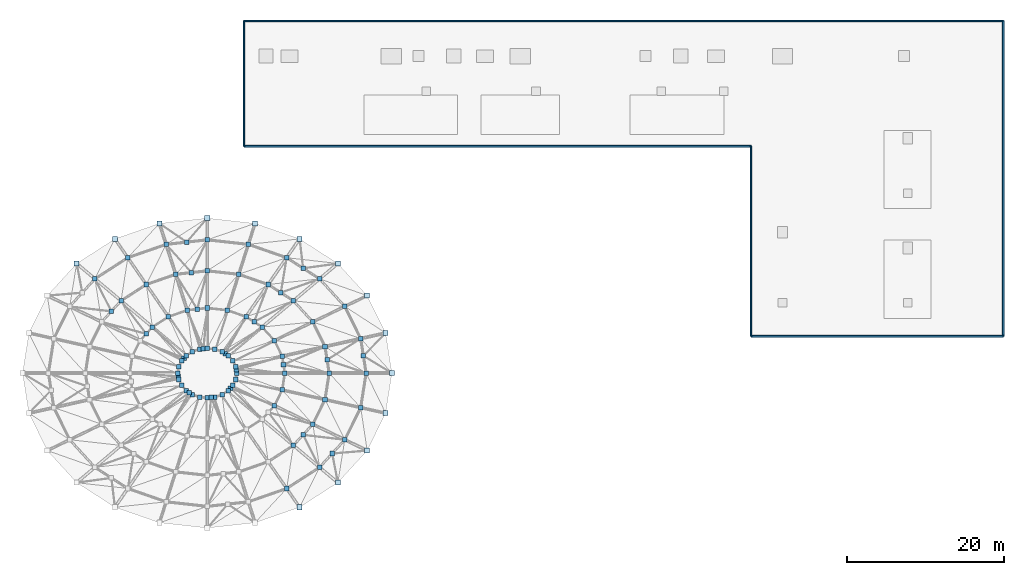
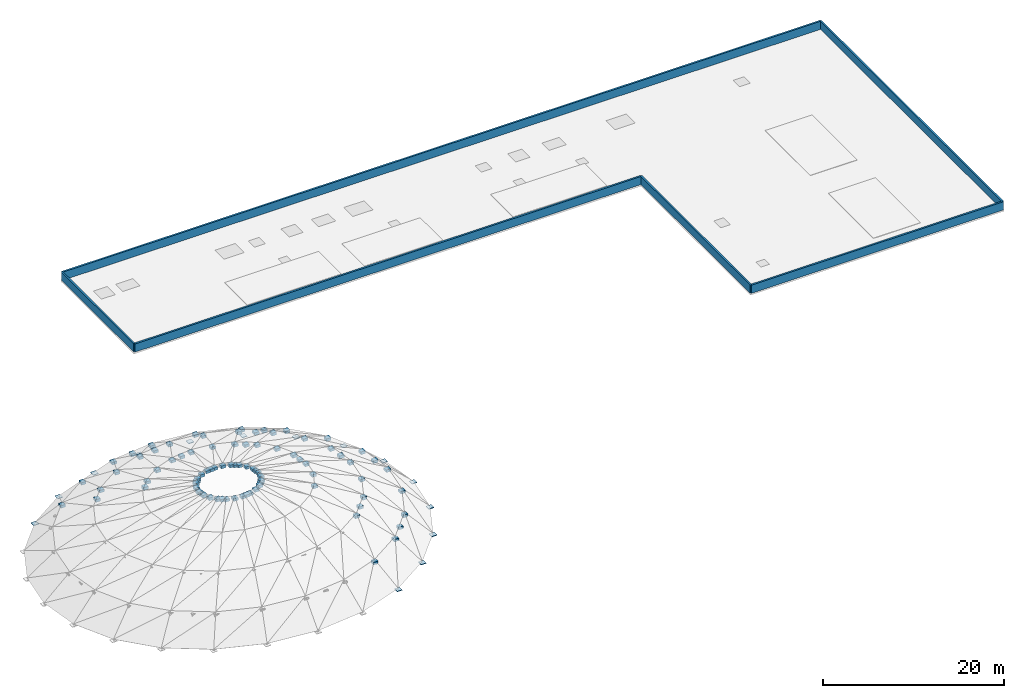
# One storey, part 10 of 11: 98 plates, 6 walls.
"""IFC4 building model written with IfcOpenShell, lengths in metres."""

from ifc_helpers import new_model, si_unit, direction, frame, frame_2d, origin, origin_2d, place, context, subcontext, project, spatial, rectangle, extrude, material, layer, layer_set, type_object, element, save


model = new_model("IFC4")

# Units and contexts
model_context = context("Model", 3, precision=1e-05, world=origin(), true_north=direction((0.0, 1.0)))
body_context = subcontext(model_context, "Body", "Model", "MODEL_VIEW")
ifc_project = project(units=[si_unit("LENGTHUNIT", "METRE"), si_unit("AREAUNIT", "SQUARE_METRE"), si_unit("VOLUMEUNIT", "CUBIC_METRE"), si_unit("PLANEANGLEUNIT", "RADIAN"), si_unit("MASSUNIT", "GRAM", prefix="KILO")], contexts=[model_context])

# Site, building, storey
site_placement = place(None, origin())
site = spatial("IfcSite", under=ifc_project, at=site_placement, CompositionType="ELEMENT")
building_placement = place(site_placement, origin())
building = spatial("IfcBuilding", under=site, at=building_placement, Name="Parian Resonance Hall", CompositionType="ELEMENT")
storey_placement = place(building_placement, frame((0.0, 0.0, 27.60009765625)))
storey = spatial("IfcBuildingStorey", under=building, at=storey_placement, Name="ROOF", CompositionType="ELEMENT", Elevation=27.60009765625)

# Plates
ifc_material_1 = material(Name="Steel S355", Category="steel")
ifc_layer_1 = layer(ifc_material_1, 0.06005859375)
ifc_layer_set_1 = layer_set([ifc_layer_1], Name="Steel S355")
plate_type_1 = type_object("IfcPlateType", Name="PLT-BASE-060", PredefinedType="USERDEFINED", material=ifc_layer_set_1)
for number, where, z_axis, x_axis, name in (
    (1, (67.60009765625, 44.0, -6.670166015625), (0.0, 0.0, 1.0), (1.0, 0.0, 0.0), "Dome arch rib base shoe plate 01"),
    (2, (64.438232421875, 53.89990234375, -6.670166015625), (0.0, 0.0, 1.0), (1.0, 0.0, 0.0), "Dome arch rib base shoe plate 03"),
    (3, (55.800048828125, 61.147216796875, -6.670166015625), (0.0, 0.0, 1.0), (1.0, 0.0, 0.0), "Dome arch rib base shoe plate 05"),
    (4, (44.0, 63.800048828125, -6.670166015625), (0.0, 0.0, 1.0), (1.0, 0.0, 0.0), "Dome arch rib base shoe plate 07"),
    (5, (32.199951171875, 61.147216796875, -6.670166015625), (0.0, 0.0, 1.0), (1.0, 0.0, 0.0), "Dome arch rib base shoe plate 09"),
    (6, (55.800048828125, 26.852783203125, -6.670166015625), (0.0, 0.0, 1.0), (1.0, 0.0, 0.0), "Dome arch rib base shoe plate 21"),
    (7, (64.438232421875, 34.10009765625, -6.670166015625), (0.0, 0.0, 1.0), (1.0, 0.0, 0.0), "Dome arch rib base shoe plate 23"),
):
    element("IfcPlate", number, at=place(storey_placement, frame(where, z_axis=z_axis, x_axis=x_axis)), inside=storey, type_object=plate_type_1, Name=name, ObjectType="BASE PLATE", PredefinedType="USERDEFINED", context=body_context, shape_type="SweptSolid", body=[
        extrude(rectangle(XDim=0.64990234375, YDim=0.64990234375, at=origin_2d()), origin(), (0.0, 0.0, 1.0), 0.06005859375),
    ])
ifc_material_2 = material(Name="Steel S355", Category="steel")
ifc_layer_2 = layer(ifc_material_2, 0.080078125)
ifc_layer_set_2 = layer_set([ifc_layer_2], Name="Steel S355")
plate_type_2 = type_object("IfcPlateType", Name="PLT-BASE-080", PredefinedType="USERDEFINED", material=ifc_layer_set_2)
for number, where, z_axis, x_axis, name in (
    (8, (66.7958984375, 49.12451171875, -6.68017578125), (0.0, 0.0, 1.0), (1.0, 0.0, 0.0), "Dome arch rib base shoe plate 02"),
    (9, (60.687744140625, 58.000732421875, -6.68017578125), (0.0, 0.0, 1.0), (1.0, 0.0, 0.0), "Dome arch rib base shoe plate 04"),
    (10, (50.108154296875, 63.125244140625, -6.68017578125), (0.0, 0.0, 1.0), (1.0, 0.0, 0.0), "Dome arch rib base shoe plate 06"),
    (11, (37.891845703125, 63.125244140625, -6.68017578125), (0.0, 0.0, 1.0), (1.0, 0.0, 0.0), "Dome arch rib base shoe plate 08"),
    (12, (27.312255859375, 58.000732421875, -6.68017578125), (0.0, 0.0, 1.0), (1.0, 0.0, 0.0), "Dome arch rib base shoe plate 10"),
    (13, (60.687744140625, 29.999267578125, -6.68017578125), (0.0, 0.0, 1.0), (1.0, 0.0, 0.0), "Dome arch rib base shoe plate 22"),
    (14, (66.7958984375, 38.87548828125, -6.68017578125), (0.0, 0.0, 1.0), (1.0, 0.0, 0.0), "Dome arch rib base shoe plate 24"),
):
    element("IfcPlate", number, at=place(storey_placement, frame(where, z_axis=z_axis, x_axis=x_axis)), inside=storey, type_object=plate_type_2, Name=name, ObjectType="BASE PLATE", PredefinedType="USERDEFINED", context=body_context, shape_type="SweptSolid", body=[
        extrude(rectangle(XDim=0.64990234375, YDim=0.64990234375, at=origin_2d()), origin(), (0.0, 0.0, 1.0), 0.080078125),
    ])
ifc_material_3 = material(Name="Steel S355", Category="steel")
ifc_layer_3 = layer(ifc_material_3, 0.340087890625)
ifc_layer_set_3 = layer_set([ifc_layer_3], Name="Steel S355")
plate_type_3 = type_object("IfcPlateType", Name="PLT-CAP-500", PredefinedType="SHEET", material=ifc_layer_set_3)
for number, where, z_axis, x_axis, name in (
    (15, (29.64892578125, 56.041015625, -3.9599609375), (0.0, 0.0, 1.0), (1.0, 0.0, 0.0), "Steel hollow-section node closure block 0123"),
    (16, (32.986083984375, 53.239990234375, -1.3603515625), (0.0, 0.0, 1.0), (1.0, 0.0, 0.0), "Steel hollow-section node closure block 0135"),
    (17, (33.85205078125, 58.7470703125, -3.9599609375), (0.0, 0.0, 1.0), (1.0, 0.0, 0.0), "Steel hollow-section node closure block 0138"),
    (18, (36.2119140625, 55.31689453125, -1.3603515625), (0.0, 0.0, 1.0), (1.0, 0.0, 0.0), "Steel hollow-section node closure block 0153"),
    (19, (38.7470703125, 60.447998046875, -3.9599609375), (0.0, 0.0, 1.0), (1.0, 0.0, 0.0), "Steel hollow-section node closure block 0159"),
    (20, (40.2880859375, 43.590087890625, 1.44970703125), (0.0, 0.0, 1.0), (1.0, 0.0, 0.0), "Steel hollow-section node closure block 0165"),
    (21, (41.030029296875, 45.912109375, 1.44970703125), (0.0, 0.0, 1.0), (1.0, 0.0, 0.0), "Steel hollow-section node closure block 0171"),
    (22, (41.43505859375, 52.032958984375, 0.43994140625), (0.0, 0.0, 1.0), (1.0, 0.0, 0.0), "Steel hollow-section node closure block 0177"),
    (23, (42.112060546875, 41.256103515625, 1.44970703125), (0.0, 0.0, 1.0), (1.0, 0.0, 0.0), "Steel hollow-section node closure block 0180"),
    (24, (43.02294921875, 47.06005859375, 1.44970703125), (0.0, 0.0, 1.0), (1.0, 0.0, 0.0), "Steel hollow-section node closure block 0189"),
    (25, (44.0, 40.83203125, 1.44970703125), (0.0, 0.0, 1.0), (1.0, 0.0, 0.0), "Steel hollow-section node closure block 0195"),
    (26, (44.0, 57.068115234375, -1.3603515625), (0.0, 0.0, 1.0), (1.0, 0.0, 0.0), "Steel hollow-section node closure block 0198"),
    (27, (44.97705078125, 40.93994140625, 1.44970703125), (0.0, 0.0, 1.0), (1.0, 0.0, 0.0), "Steel hollow-section node closure block 0201"),
    (28, (45.887939453125, 41.256103515625, 1.44970703125), (0.0, 0.0, 1.0), (1.0, 0.0, 0.0), "Steel hollow-section node closure block 0204"),
    (29, (46.279052734375, 46.491943359375, 1.44970703125), (0.0, 0.0, 1.0), (1.0, 0.0, 0.0), "Steel hollow-section node closure block 0207"),
    (30, (46.969970703125, 42.087890625, 1.44970703125), (0.0, 0.0, 1.0), (1.0, 0.0, 0.0), "Steel hollow-section node closure block 0213"),
    (31, (47.64697265625, 43.179931640625, 1.44970703125), (0.0, 0.0, 1.0), (1.0, 0.0, 0.0), "Steel hollow-section node closure block 0216"),
    (32, (47.77587890625, 44.0, 1.44970703125), (0.0, 0.0, 1.0), (1.0, 0.0, 0.0), "Steel hollow-section node closure block 0219"),
    (33, (52.583984375, 39.842041015625, 0.43994140625), (0.0, 0.0, 1.0), (1.0, 0.0, 0.0), "Steel hollow-section node closure block 0240"),
    (34, (53.573974609375, 41.847900390625, 0.43994140625), (0.0, 0.0, 1.0), (1.0, 0.0, 0.0), "Steel hollow-section node closure block 0243"),
    (35, (53.912109375, 44.0, 0.43994140625), (0.0, 0.0, 1.0), (1.0, 0.0, 0.0), "Steel hollow-section node closure block 0246"),
    (36, (55.013916015625, 34.760009765625, -1.3603515625), (0.0, 0.0, 1.0), (1.0, 0.0, 0.0), "Steel hollow-section node closure block 0249"),
    (37, (56.251953125, 36.113037109375, -1.3603515625), (0.0, 0.0, 1.0), (1.0, 0.0, 0.0), "Steel hollow-section node closure block 0252"),
    (38, (58.35107421875, 31.958984375, -3.9599609375), (0.0, 0.0, 1.0), (1.0, 0.0, 0.0), "Steel hollow-section node closure block 0258"),
    (39, (59.044921875, 47.382080078125, -1.3603515625), (0.0, 0.0, 1.0), (1.0, 0.0, 0.0), "Steel hollow-section node closure block 0261"),
    (40, (59.964111328125, 33.722900390625, -3.9599609375), (0.0, 0.0, 1.0), (1.0, 0.0, 0.0), "Steel hollow-section node closure block 0264"),
    (41, (63.60400390625, 39.593017578125, -3.9599609375), (0.0, 0.0, 1.0), (1.0, 0.0, 0.0), "Steel hollow-section node closure block 0267"),
    (42, (64.2958984375, 44.0, -3.9599609375), (0.0, 0.0, 1.0), (1.0, 0.0, 0.0), "Steel hollow-section node closure block 0270"),
):
    element("IfcPlate", number, at=place(storey_placement, frame(where, z_axis=z_axis, x_axis=x_axis)), inside=storey, type_object=plate_type_3, Name=name, PredefinedType="SHEET", context=body_context, shape_type="SweptSolid", body=[
        extrude(rectangle(XDim=0.580078125, YDim=0.580078125, at=origin_2d()), origin(), (0.0, 0.0, 1.0), 0.340087890625),
    ])
ifc_material_4 = material(Name="Steel S355", Category="steel")
ifc_layer_4 = layer(ifc_material_4, 0.360107421875)
ifc_layer_set_4 = layer_set([ifc_layer_4], Name="Steel S355")
plate_type_4 = type_object("IfcPlateType", Name="PLT-GUS-520", PredefinedType="USERDEFINED", material=ifc_layer_set_4)
for number, where, z_axis, x_axis, name in (
    (43, (36.990966796875, 49.8798828125, 0.4296875), (0.0, 0.0, 1.0), (1.0, 0.0, 0.0), "Steel hollow-section node closure block 0155"),
    (44, (39.0439453125, 51.201904296875, 0.4296875), (0.0, 0.0, 1.0), (1.0, 0.0, 0.0), "Steel hollow-section node closure block 0161"),
    (45, (40.22412109375, 44.0, 1.43994140625), (0.0, 0.0, 1.0), (1.0, 0.0, 0.0), "Steel hollow-section node closure block 0164"),
    (46, (40.35302734375, 44.820068359375, 1.43994140625), (0.0, 0.0, 1.0), (1.0, 0.0, 0.0), "Steel hollow-section node closure block 0167"),
    (47, (40.72998046875, 45.583984375, 1.43994140625), (0.0, 0.0, 1.0), (1.0, 0.0, 0.0), "Steel hollow-section node closure block 0170"),
    (48, (41.330078125, 46.239990234375, 1.43994140625), (0.0, 0.0, 1.0), (1.0, 0.0, 0.0), "Steel hollow-section node closure block 0173"),
    (49, (41.98388671875, 56.844970703125, -1.3701171875), (0.0, 0.0, 1.0), (1.0, 0.0, 0.0), "Steel hollow-section node closure block 0179"),
    (50, (43.02294921875, 40.93994140625, 1.43994140625), (0.0, 0.0, 1.0), (1.0, 0.0, 0.0), "Steel hollow-section node closure block 0188"),
    (51, (44.0, 52.31591796875, 0.4296875), (0.0, 0.0, 1.0), (1.0, 0.0, 0.0), "Steel hollow-section node closure block 0197"),
    (52, (44.489013671875, 40.885986328125, 1.43994140625), (0.0, 0.0, 1.0), (1.0, 0.0, 0.0), "Steel hollow-section node closure block 0200"),
    (53, (46.56494140625, 52.032958984375, 0.4296875), (0.0, 0.0, 1.0), (1.0, 0.0, 0.0), "Steel hollow-section node closure block 0209"),
    (54, (46.669921875, 46.239990234375, 1.43994140625), (0.0, 0.0, 1.0), (1.0, 0.0, 0.0), "Steel hollow-section node closure block 0212"),
    (55, (47.27001953125, 45.583984375, 1.43994140625), (0.0, 0.0, 1.0), (1.0, 0.0, 0.0), "Steel hollow-section node closure block 0215"),
    (56, (47.7119140625, 44.409912109375, 1.43994140625), (0.0, 0.0, 1.0), (1.0, 0.0, 0.0), "Steel hollow-section node closure block 0218"),
    (57, (48.031005859375, 56.623046875, -1.3701171875), (0.0, 0.0, 1.0), (1.0, 0.0, 0.0), "Steel hollow-section node closure block 0221"),
    (58, (48.9560546875, 51.201904296875, 0.4296875), (0.0, 0.0, 1.0), (1.0, 0.0, 0.0), "Steel hollow-section node closure block 0224"),
    (59, (49.2529296875, 60.447998046875, -3.97021484375), (0.0, 0.0, 1.0), (1.0, 0.0, 0.0), "Steel hollow-section node closure block 0227"),
    (60, (49.98193359375, 50.541015625, 0.4296875), (0.0, 0.0, 1.0), (1.0, 0.0, 0.0), "Steel hollow-section node closure block 0233"),
    (61, (51.009033203125, 49.8798828125, 0.4296875), (0.0, 0.0, 1.0), (1.0, 0.0, 0.0), "Steel hollow-section node closure block 0236"),
    (62, (53.40087890625, 54.279052734375, -1.3701171875), (0.0, 0.0, 1.0), (1.0, 0.0, 0.0), "Steel hollow-section node closure block 0242"),
    (63, (53.742919921875, 45.075927734375, 0.4296875), (0.0, 0.0, 1.0), (1.0, 0.0, 0.0), "Steel hollow-section node closure block 0245"),
    (64, (54.14794921875, 58.7470703125, -3.97021484375), (0.0, 0.0, 1.0), (1.0, 0.0, 0.0), "Steel hollow-section node closure block 0248"),
    (65, (56.25, 57.39404296875, -3.97021484375), (0.0, 0.0, 1.0), (1.0, 0.0, 0.0), "Steel hollow-section node closure block 0251"),
    (66, (57.489013671875, 50.533935546875, -1.3701171875), (0.0, 0.0, 1.0), (1.0, 0.0, 0.0), "Steel hollow-section node closure block 0257"),
    (67, (59.044921875, 40.617919921875, -1.3701171875), (0.0, 0.0, 1.0), (1.0, 0.0, 0.0), "Steel hollow-section node closure block 0260"),
    (68, (59.575927734375, 44.0, -1.3701171875), (0.0, 0.0, 1.0), (1.0, 0.0, 0.0), "Steel hollow-section node closure block 0263"),
    (69, (61.576904296875, 52.513916015625, -3.97021484375), (0.0, 0.0, 1.0), (1.0, 0.0, 0.0), "Steel hollow-section node closure block 0266"),
    (70, (63.949951171875, 46.2041015625, -3.97021484375), (0.0, 0.0, 1.0), (1.0, 0.0, 0.0), "Steel hollow-section node closure block 0269"),
):
    element("IfcPlate", number, at=place(storey_placement, frame(where, z_axis=z_axis, x_axis=x_axis)), inside=storey, type_object=plate_type_4, Name=name, ObjectType="GUSSET PLATE", PredefinedType="USERDEFINED", context=body_context, shape_type="SweptSolid", body=[
        extrude(rectangle(XDim=0.580078125, YDim=0.580078125, at=origin_2d()), origin(), (0.0, 0.0, 1.0), 0.360107421875),
    ])
ifc_material_5 = material(Name="Steel S355", Category="steel")
ifc_layer_5 = layer(ifc_material_5, 0.3798828125)
ifc_layer_set_5 = layer_set([ifc_layer_5], Name="Steel S355")
plate_type_5 = type_object("IfcPlateType", Name="PLT-GUS-540", PredefinedType="USERDEFINED", material=ifc_layer_set_5)
for number, where, z_axis, x_axis, name in (
    (71, (31.748046875, 51.886962890625, -1.380126953125), (0.0, 0.0, 1.0), (1.0, 0.0, 0.0), "Steel hollow-section node closure block 0127"),
    (72, (36.2041015625, 49.01904296875, 0.419921875), (0.0, 0.0, 1.0), (1.0, 0.0, 0.0), "Steel hollow-section node closure block 0151"),
    (73, (39.968994140625, 56.623046875, -1.380126953125), (0.0, 0.0, 1.0), (1.0, 0.0, 0.0), "Steel hollow-section node closure block 0163"),
    (74, (40.35302734375, 43.179931640625, 1.429931640625), (0.0, 0.0, 1.0), (1.0, 0.0, 0.0), "Steel hollow-section node closure block 0166"),
    (75, (40.72998046875, 42.416015625, 1.429931640625), (0.0, 0.0, 1.0), (1.0, 0.0, 0.0), "Steel hollow-section node closure block 0169"),
    (76, (41.330078125, 41.760009765625, 1.429931640625), (0.0, 0.0, 1.0), (1.0, 0.0, 0.0), "Steel hollow-section node closure block 0172"),
    (77, (41.373046875, 60.738037109375, -3.97998046875), (0.0, 0.0, 1.0), (1.0, 0.0, 0.0), "Steel hollow-section node closure block 0175"),
    (78, (41.720947265625, 41.508056640625, 1.429931640625), (0.0, 0.0, 1.0), (1.0, 0.0, 0.0), "Steel hollow-section node closure block 0178"),
    (79, (42.112060546875, 46.743896484375, 1.429931640625), (0.0, 0.0, 1.0), (1.0, 0.0, 0.0), "Steel hollow-section node closure block 0181"),
    (80, (42.717041015625, 52.174072265625, 0.419921875), (0.0, 0.0, 1.0), (1.0, 0.0, 0.0), "Steel hollow-section node closure block 0187"),
    (81, (43.510986328125, 47.114013671875, 1.429931640625), (0.0, 0.0, 1.0), (1.0, 0.0, 0.0), "Steel hollow-section node closure block 0190"),
    (82, (44.0, 47.16796875, 1.429931640625), (0.0, 0.0, 1.0), (1.0, 0.0, 0.0), "Steel hollow-section node closure block 0196"),
    (83, (44.0, 61.028076171875, -3.97998046875), (0.0, 0.0, 1.0), (1.0, 0.0, 0.0), "Steel hollow-section node closure block 0199"),
    (84, (44.97705078125, 47.06005859375, 1.429931640625), (0.0, 0.0, 1.0), (1.0, 0.0, 0.0), "Steel hollow-section node closure block 0202"),
    (85, (45.887939453125, 46.743896484375, 1.429931640625), (0.0, 0.0, 1.0), (1.0, 0.0, 0.0), "Steel hollow-section node closure block 0205"),
    (86, (46.669921875, 41.760009765625, 1.429931640625), (0.0, 0.0, 1.0), (1.0, 0.0, 0.0), "Steel hollow-section node closure block 0211"),
    (87, (47.27001953125, 42.416015625, 1.429931640625), (0.0, 0.0, 1.0), (1.0, 0.0, 0.0), "Steel hollow-section node closure block 0214"),
    (88, (47.64697265625, 44.820068359375, 1.429931640625), (0.0, 0.0, 1.0), (1.0, 0.0, 0.0), "Steel hollow-section node closure block 0217"),
    (89, (51.7880859375, 55.31689453125, -1.380126953125), (0.0, 0.0, 1.0), (1.0, 0.0, 0.0), "Steel hollow-section node closure block 0238"),
    (90, (52.583984375, 48.157958984375, 0.419921875), (0.0, 0.0, 1.0), (1.0, 0.0, 0.0), "Steel hollow-section node closure block 0241"),
    (91, (53.573974609375, 46.152099609375, 0.419921875), (0.0, 0.0, 1.0), (1.0, 0.0, 0.0), "Steel hollow-section node closure block 0244"),
    (92, (54.14794921875, 29.2529296875, -3.97998046875), (0.0, 0.0, 1.0), (1.0, 0.0, 0.0), "Steel hollow-section node closure block 0247"),
    (93, (55.013916015625, 53.239990234375, -1.380126953125), (0.0, 0.0, 1.0), (1.0, 0.0, 0.0), "Steel hollow-section node closure block 0250"),
    (94, (57.489013671875, 37.466064453125, -1.380126953125), (0.0, 0.0, 1.0), (1.0, 0.0, 0.0), "Steel hollow-section node closure block 0256"),
    (95, (58.35107421875, 56.041015625, -3.97998046875), (0.0, 0.0, 1.0), (1.0, 0.0, 0.0), "Steel hollow-section node closure block 0259"),
    (96, (59.31103515625, 45.69091796875, -1.380126953125), (0.0, 0.0, 1.0), (1.0, 0.0, 0.0), "Steel hollow-section node closure block 0262"),
    (97, (61.576904296875, 35.486083984375, -3.97998046875), (0.0, 0.0, 1.0), (1.0, 0.0, 0.0), "Steel hollow-section node closure block 0265"),
    (98, (63.60400390625, 48.406982421875, -3.97998046875), (0.0, 0.0, 1.0), (1.0, 0.0, 0.0), "Steel hollow-section node closure block 0268"),
):
    element("IfcPlate", number, at=place(storey_placement, frame(where, z_axis=z_axis, x_axis=x_axis)), inside=storey, type_object=plate_type_5, Name=name, ObjectType="GUSSET PLATE", PredefinedType="USERDEFINED", context=body_context, shape_type="SweptSolid", body=[
        extrude(rectangle(XDim=0.580078125, YDim=0.580078125, at=origin_2d()), origin(), (0.0, 0.0, 1.0), 0.3798828125),
    ])

# Walls
ifc_material_6 = material(Name="Concrete C35/45 parapet", Category="concrete")
ifc_layer_6 = layer(ifc_material_6, 0.2099609375)
ifc_layer_set_6 = layer_set([ifc_layer_6], Name="Concrete C35/45 parapet")
wall_type_1 = type_object("IfcWallType", Name="EW-PAR-210", PredefinedType="PARAPET", material=ifc_layer_set_6)
wall_1_placement = place(storey_placement, frame((145.699951171875, 89.0, 0.0), z_axis=(0.0, 0.0, 1.0), x_axis=(0.0, -1.0, 0.0)))
element("IfcWall", 99, at=wall_1_placement, inside=storey, type_object=wall_type_1, Name="Roof parapet ROOF-09", PredefinedType="PARAPET", context=body_context, shape_type="SweptSolid", body=[
    extrude(rectangle(XDim=40.300048828125, YDim=0.2099609375, at=frame_2d((20.14990234375, 0.0))), origin(), (0.0, 0.0, 1.0), 1.099853515625),
])
wall_2_placement = place(storey_placement, frame((113.5, 48.699951171875, 0.0), z_axis=(0.0, 0.0, 1.0), x_axis=(0.0, 1.0, 0.0)))
element("IfcWall", 100, at=wall_2_placement, inside=storey, type_object=wall_type_1, Name="Roof parapet ROOF-11", PredefinedType="PARAPET", context=body_context, shape_type="SweptSolid", body=[
    extrude(rectangle(XDim=24.300048828125, YDim=0.2099609375, at=frame_2d((12.14990234375, 0.0))), origin(), (0.0, 0.0, 1.0), 1.099853515625),
])
wall_3_placement = place(storey_placement, frame((48.699951171875, 73.0, 0.0), z_axis=(0.0, 0.0, 1.0), x_axis=(0.0, 1.0, 0.0)))
element("IfcWall", 101, at=wall_3_placement, inside=storey, type_object=wall_type_1, Name="Roof parapet ROOF-13", PredefinedType="PARAPET", context=body_context, shape_type="SweptSolid", body=[
    extrude(rectangle(XDim=16.0, YDim=0.2099609375, at=frame_2d((8.0, 0.0))), origin(), (0.0, 0.0, 1.0), 1.099853515625),
])
ifc_material_7 = material(Name="Concrete C35/45 parapet", Category="concrete")
ifc_layer_7 = layer(ifc_material_7, 0.22998046875)
ifc_layer_set_7 = layer_set([ifc_layer_7], Name="Concrete C35/45 parapet")
wall_type_2 = type_object("IfcWallType", Name="EW-PAR-230", PredefinedType="PARAPET", material=ifc_layer_set_7)
wall_4_placement = place(storey_placement, frame((48.699951171875, 89.0, 0.0), z_axis=(0.0, 0.0, 1.0), x_axis=(1.0, 0.0, 0.0)))
element("IfcWall", 102, at=wall_4_placement, inside=storey, type_object=wall_type_2, Name="Roof parapet ROOF-08", PredefinedType="PARAPET", context=body_context, shape_type="SweptSolid", body=[
    extrude(rectangle(XDim=97.0, YDim=0.22998046875, at=frame_2d((48.5, 0.0))), origin(), (0.0, 0.0, 1.0), 1.099853515625),
])
wall_5_placement = place(storey_placement, frame((145.699951171875, 48.699951171875, 0.0), z_axis=(0.0, 0.0, 1.0), x_axis=(-1.0, 0.0, 0.0)))
element("IfcWall", 103, at=wall_5_placement, inside=storey, type_object=wall_type_2, Name="Roof parapet ROOF-10", PredefinedType="PARAPET", context=body_context, shape_type="SweptSolid", body=[
    extrude(rectangle(XDim=32.199951171875, YDim=0.22998046875, at=frame_2d((16.10009765625, 0.0))), origin(), (0.0, 0.0, 1.0), 1.099853515625),
])
wall_6_placement = place(storey_placement, frame((113.5, 73.0, 0.0), z_axis=(0.0, 0.0, 1.0), x_axis=(-1.0, 0.0, 0.0)))
element("IfcWall", 104, at=wall_6_placement, inside=storey, type_object=wall_type_2, Name="Roof parapet ROOF-12", PredefinedType="PARAPET", context=body_context, shape_type="SweptSolid", body=[
    extrude(rectangle(XDim=64.800048828125, YDim=0.22998046875, at=frame_2d((32.39990234375, 0.0))), origin(), (0.0, 0.0, 1.0), 1.099853515625),
])

save(model, "model.ifc")
